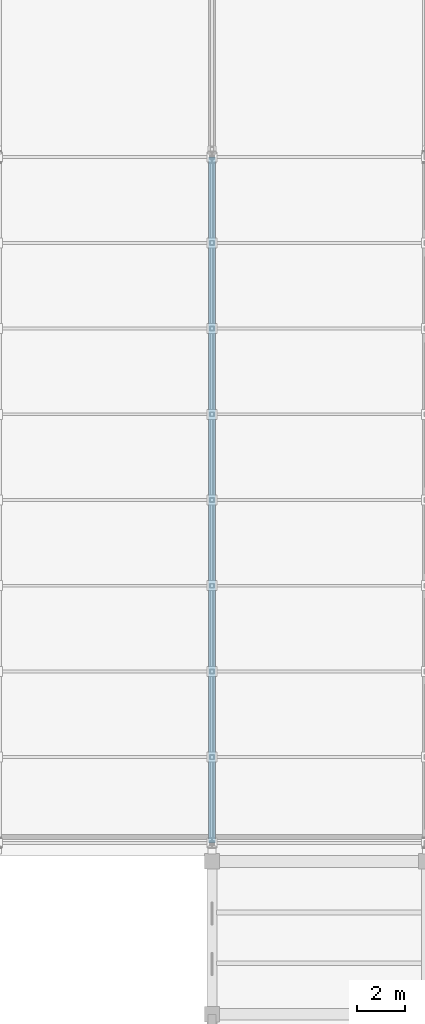
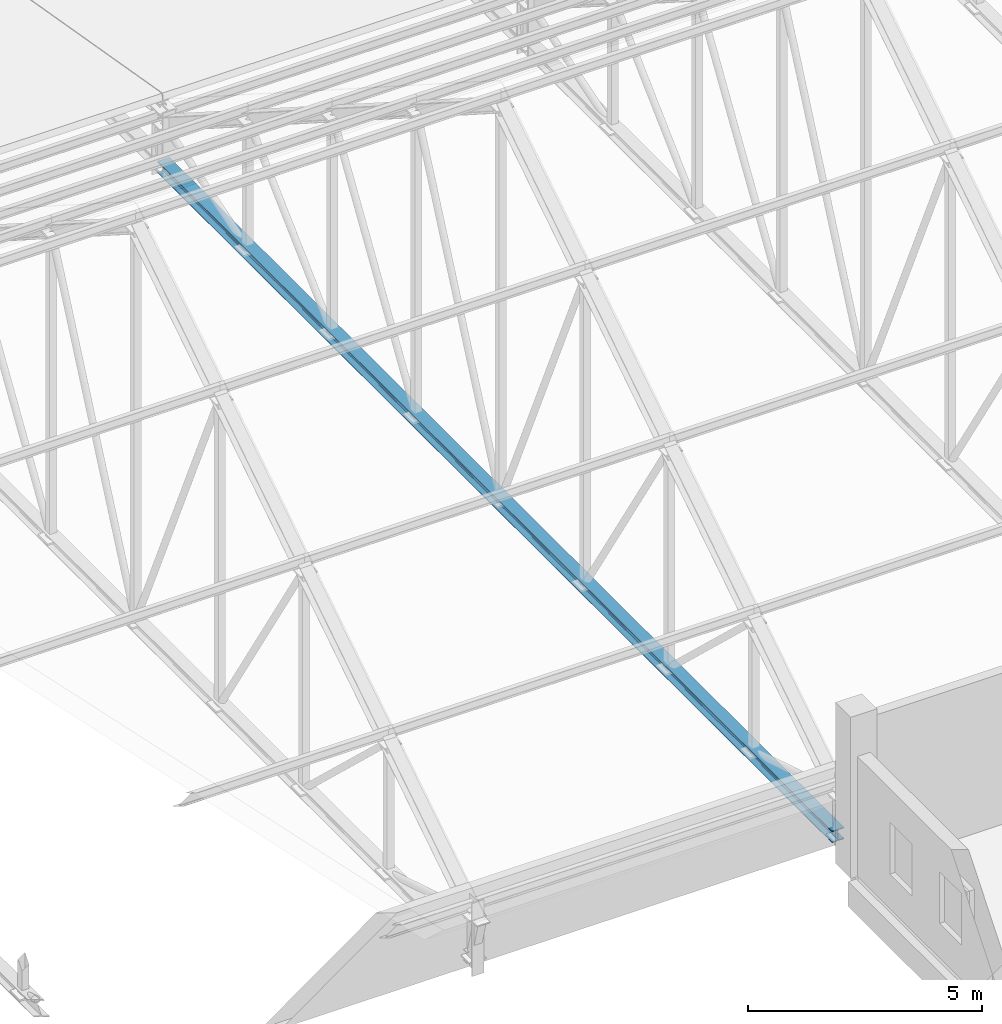
# One storey, part 109 of 182: 1 member.
"""IFC4 building model written with IfcOpenShell, lengths in metres."""

from ifc_helpers import new_model, si_unit, direction, frame, origin, origin_2d, place, context, subcontext, project, spatial, i_section, extrude, material, material_profile, profile_set, type_object, element, save


model = new_model("IFC4")

# Units and contexts
model_context = context("Model", 3, precision=1e-05, world=origin(), true_north=direction((0.0, 1.0)))
body_context = subcontext(model_context, "Body", "Model", "MODEL_VIEW")
ifc_project = project(units=[si_unit("LENGTHUNIT", "METRE"), si_unit("AREAUNIT", "SQUARE_METRE"), si_unit("VOLUMEUNIT", "CUBIC_METRE"), si_unit("PLANEANGLEUNIT", "RADIAN"), si_unit("MASSUNIT", "GRAM", prefix="KILO")], contexts=[model_context])

# Site, building, storey
site_placement = place(None, origin())
site = spatial("IfcSite", under=ifc_project, at=site_placement, CompositionType="ELEMENT")
building_placement = place(site_placement, origin())
building = spatial("IfcBuilding", under=site, at=building_placement, Name="Chiffa Square Polytechnic", CompositionType="ELEMENT")
storey_placement = place(building_placement, frame((0.0, 0.0, 9.60009765625)))
storey = spatial("IfcBuildingStorey", under=building, at=storey_placement, Name="L02", CompositionType="ELEMENT", Elevation=9.60009765625)

# Member
ifc_material = material(Name="Steel S355", Category="steel")
ifc_material_profile = material_profile(ifc_material, i_section(OverallWidth=0.300048828125, OverallDepth=0.300048828125, WebThickness=0.010986328125, FlangeThickness=0.01904296875, FilletRadius=0.027099609375, at=origin_2d()), Name="HEB 300")
ifc_profile_set = profile_set([ifc_material_profile], Name="Steel S355")
member_type = type_object("IfcMemberType", Name="MEM-CHORD-HEB300", PredefinedType="CHORD", material=ifc_profile_set)
member_placement = place(storey_placement, frame((148.199951171875, 58.199951171875, 0.349853515625), z_axis=(0.0, 1.0, 0.0), x_axis=(-1.0, 0.0, 0.0)))
element("IfcMember", 1, at=member_placement, inside=storey, type_object=member_type, Name="Workshop roof truss bottom chord TCB-V2-05", PredefinedType="CHORD", context=body_context, shape_type="SweptSolid", body=[
    extrude(i_section(OverallWidth=0.300048828125, OverallDepth=0.300048828125, WebThickness=0.010986328125, FlangeThickness=0.01904296875, FilletRadius=0.027099609375, at=origin_2d()), origin(), (0.0, 0.0, 1.0), 28.800048828125),
])

save(model, "model.ifc")
